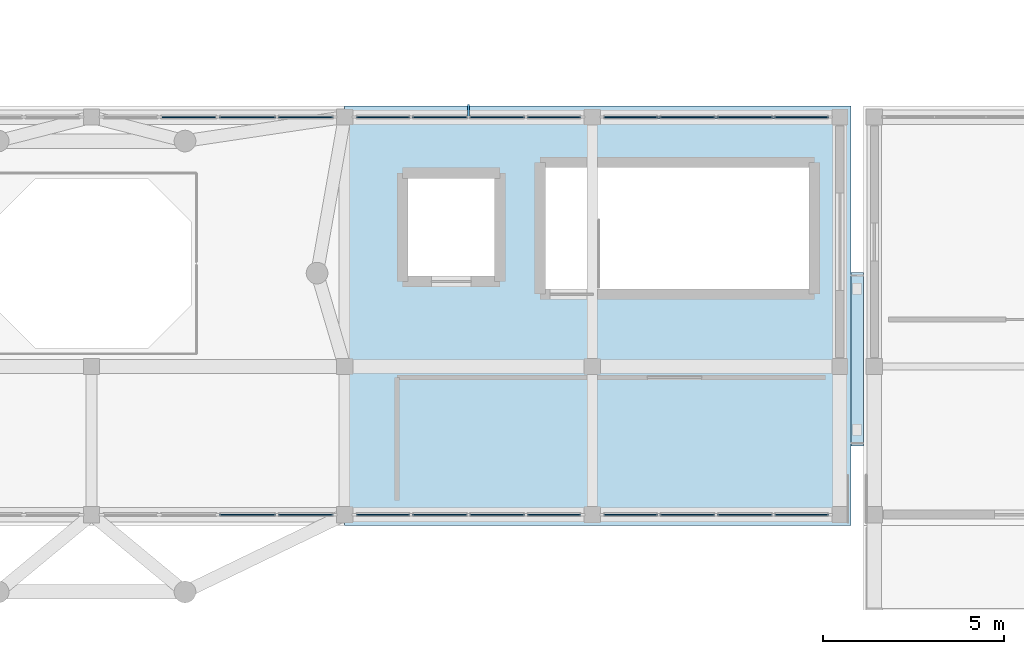
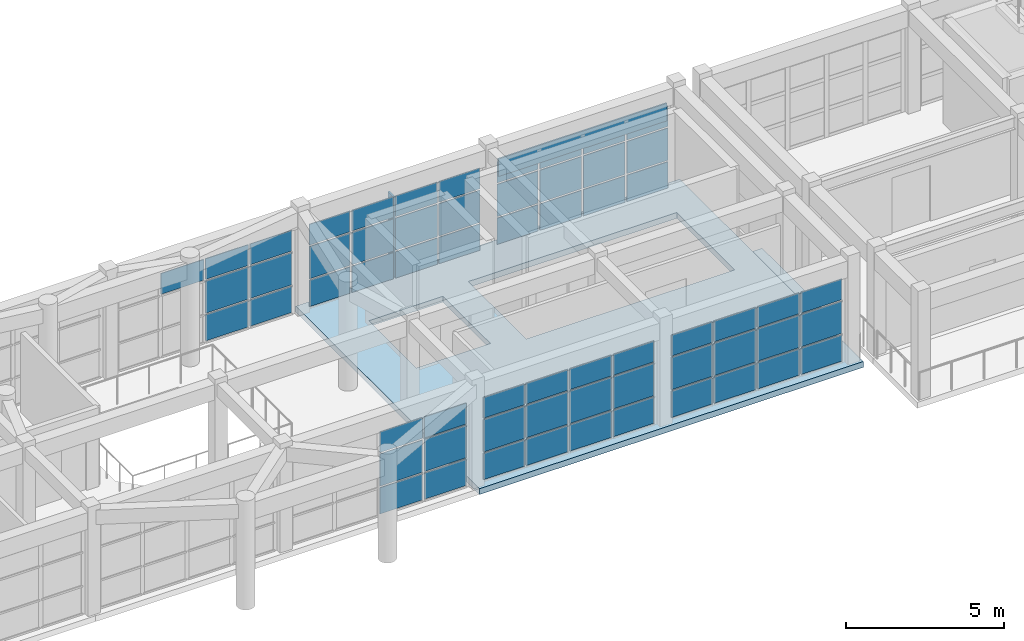
# One storey, part 39 of 66: 63 plates, 2 slabs, 6 elements without a shape of their own.
"""IFC4 building model written with IfcOpenShell, lengths in metres."""

from ifc_helpers import new_model, si_unit, direction, frame, origin, origin_2d, place, context, subcontext, project, spatial, polyline, rectangle, outline, extrude, material, layer, layer_set, type_object, element, aggregate, save


model = new_model("IFC4")

# Units and contexts
model_context = context("Model", 3, precision=1e-05, world=origin(), true_north=direction((0.0, 1.0)))
body_context = subcontext(model_context, "Body", "Model", "MODEL_VIEW")
ifc_project = project(units=[si_unit("LENGTHUNIT", "METRE"), si_unit("AREAUNIT", "SQUARE_METRE"), si_unit("VOLUMEUNIT", "CUBIC_METRE"), si_unit("PLANEANGLEUNIT", "RADIAN"), si_unit("MASSUNIT", "GRAM", prefix="KILO")], contexts=[model_context])

# Site, building, storey
site_placement = place(None, origin())
site = spatial("IfcSite", under=ifc_project, at=site_placement, CompositionType="ELEMENT")
building_placement = place(site_placement, origin())
building = spatial("IfcBuilding", under=site, at=building_placement, Name="Candilejo Ridge Gondola Terminal", CompositionType="ELEMENT")
storey_placement = place(building_placement, frame((0.0, 0.0, 14.39990234375)))
storey = spatial("IfcBuildingStorey", under=building, at=storey_placement, Name="L03", CompositionType="ELEMENT", Elevation=14.39990234375)

# Curtain wall, plates
ifc_material_1 = material(Name="Anodised aluminium AA 6063-T6", Category="aluminium")
ifc_layer_1 = layer(ifc_material_1, 0.169921875)
ifc_layer_set_1 = layer_set([ifc_layer_1], Name="ARC-CW-DRUM-3400-650X329")
curtain_wall_type_1 = type_object("IfcCurtainWallType", Name="ARC-CW-DRUM-3400-650X329", PredefinedType="NOTDEFINED", material=ifc_layer_set_1)
curtain_wall_1_placement = place(storey_placement, origin())
curtain_wall_1 = element("IfcCurtainWall", 1, at=curtain_wall_1_placement, inside=storey, type_object=curtain_wall_type_1, Name="Curtain wall V2 L03-064", PredefinedType="NOTDEFINED")
ifc_material_2 = material(Name="Low-E laminated double glazing 6+12A+6+1.52PVB+6 mm", Category="glass")
ifc_layer_2 = layer(ifc_material_2, 0.028076171875)
ifc_layer_set_2 = layer_set([ifc_layer_2], Name="ARC-CW-GLAZ-PANEL")
plate_type_1 = type_object("IfcPlateType", Name="ARC-CW-GLAZ-PANEL", PredefinedType="CURTAIN_PANEL", material=ifc_layer_set_2)
plate_1_placement = place(storey_placement, frame((68.03759765625, 36.699951171875, 2.43017578125), z_axis=(0.0, 0.0, 1.0), x_axis=(1.0, 0.0, 0.0)))
plate_1 = element("IfcPlate", 2, at=plate_1_placement, type_object=plate_type_1, Name="CW-65X32 panel 2.3", PredefinedType="CURTAIN_PANEL", context=body_context, shape_type="SweptSolid", body=[
    extrude(rectangle(XDim=1.56005859375, YDim=0.028076171875, at=origin_2d()), origin(), (0.0, 0.0, 1.0), 0.800048828125),
])
plate_2_placement = place(storey_placement, frame((69.66259765625, 36.699951171875, 0.06005859375), z_axis=(0.0, 0.0, 1.0), x_axis=(1.0, 0.0, 0.0)))
plate_2 = element("IfcPlate", 3, at=plate_2_placement, type_object=plate_type_1, Name="CW-65X32 panel 3.1", PredefinedType="CURTAIN_PANEL", context=body_context, shape_type="SweptSolid", body=[
    extrude(rectangle(XDim=1.56005859375, YDim=0.028076171875, at=origin_2d()), origin(), (0.0, 0.0, 1.0), 1.010009765625),
])
plate_3_placement = place(storey_placement, frame((69.66259765625, 36.699951171875, 1.1298828125), z_axis=(0.0, 0.0, 1.0), x_axis=(1.0, 0.0, 0.0)))
plate_3 = element("IfcPlate", 4, at=plate_3_placement, type_object=plate_type_1, Name="CW-65X32 panel 3.2", PredefinedType="CURTAIN_PANEL", context=body_context, shape_type="SweptSolid", body=[
    extrude(rectangle(XDim=1.56005859375, YDim=0.028076171875, at=origin_2d()), origin(), (0.0, 0.0, 1.0), 1.239990234375),
])
plate_4_placement = place(storey_placement, frame((69.66259765625, 36.699951171875, 2.43017578125), z_axis=(0.0, 0.0, 1.0), x_axis=(1.0, 0.0, 0.0)))
plate_4 = element("IfcPlate", 5, at=plate_4_placement, type_object=plate_type_1, Name="CW-65X32 panel 3.3", PredefinedType="CURTAIN_PANEL", context=body_context, shape_type="SweptSolid", body=[
    extrude(rectangle(XDim=1.56005859375, YDim=0.028076171875, at=origin_2d()), origin(), (0.0, 0.0, 1.0), 0.800048828125),
])
plate_5_placement = place(storey_placement, frame((71.271240234375, 36.699951171875, 0.06005859375), z_axis=(0.0, 0.0, 1.0), x_axis=(1.0, 0.0, 0.0)))
plate_5 = element("IfcPlate", 6, at=plate_5_placement, type_object=plate_type_1, Name="CW-65X32 panel 4.1", PredefinedType="CURTAIN_PANEL", context=body_context, shape_type="SweptSolid", body=[
    extrude(rectangle(XDim=1.527587890625, YDim=0.028076171875, at=origin_2d()), origin(), (0.0, 0.0, 1.0), 1.010009765625),
])
plate_6_placement = place(storey_placement, frame((71.271240234375, 36.699951171875, 1.1298828125), z_axis=(0.0, 0.0, 1.0), x_axis=(1.0, 0.0, 0.0)))
plate_6 = element("IfcPlate", 7, at=plate_6_placement, type_object=plate_type_1, Name="CW-65X32 panel 4.2", PredefinedType="CURTAIN_PANEL", context=body_context, shape_type="SweptSolid", body=[
    extrude(rectangle(XDim=1.527587890625, YDim=0.028076171875, at=origin_2d()), origin(), (0.0, 0.0, 1.0), 1.239990234375),
])
plate_7_placement = place(storey_placement, frame((71.271240234375, 36.699951171875, 2.43017578125), z_axis=(0.0, 0.0, 1.0), x_axis=(1.0, 0.0, 0.0)))
plate_7 = element("IfcPlate", 8, at=plate_7_placement, type_object=plate_type_1, Name="CW-65X32 panel 4.3", PredefinedType="CURTAIN_PANEL", context=body_context, shape_type="SweptSolid", body=[
    extrude(rectangle(XDim=1.527587890625, YDim=0.028076171875, at=origin_2d()), origin(), (0.0, 0.0, 1.0), 0.800048828125),
])
aggregate(curtain_wall_1, [plate_1, plate_2, plate_3, plate_4, plate_5, plate_6, plate_7])

curtain_wall_2_placement = place(storey_placement, origin())
curtain_wall_2 = element("IfcCurtainWall", 9, at=curtain_wall_2_placement, inside=storey, type_object=curtain_wall_type_1, Name="Curtain wall V2 L03-065", PredefinedType="NOTDEFINED")
plate_8_placement = place(storey_placement, frame((69.66259765625, 25.699951171875, 0.06005859375), z_axis=(0.0, 0.0, 1.0), x_axis=(1.0, 0.0, 0.0)))
plate_8 = element("IfcPlate", 10, at=plate_8_placement, type_object=plate_type_1, Name="CW-65X32 panel 3.1", PredefinedType="CURTAIN_PANEL", context=body_context, shape_type="SweptSolid", body=[
    extrude(rectangle(XDim=1.56005859375, YDim=0.028076171875, at=origin_2d()), origin(), (0.0, 0.0, 1.0), 1.010009765625),
])
plate_9_placement = place(storey_placement, frame((69.66259765625, 25.699951171875, 1.1298828125), z_axis=(0.0, 0.0, 1.0), x_axis=(1.0, 0.0, 0.0)))
plate_9 = element("IfcPlate", 11, at=plate_9_placement, type_object=plate_type_1, Name="CW-65X32 panel 3.2", PredefinedType="CURTAIN_PANEL", context=body_context, shape_type="SweptSolid", body=[
    extrude(rectangle(XDim=1.56005859375, YDim=0.028076171875, at=origin_2d()), origin(), (0.0, 0.0, 1.0), 1.239990234375),
])
plate_10_placement = place(storey_placement, frame((69.66259765625, 25.699951171875, 2.43017578125), z_axis=(0.0, 0.0, 1.0), x_axis=(1.0, 0.0, 0.0)))
plate_10 = element("IfcPlate", 12, at=plate_10_placement, type_object=plate_type_1, Name="CW-65X32 panel 3.3", PredefinedType="CURTAIN_PANEL", context=body_context, shape_type="SweptSolid", body=[
    extrude(rectangle(XDim=1.56005859375, YDim=0.028076171875, at=origin_2d()), origin(), (0.0, 0.0, 1.0), 0.800048828125),
])
plate_11_placement = place(storey_placement, frame((71.271240234375, 25.699951171875, 0.06005859375), z_axis=(0.0, 0.0, 1.0), x_axis=(1.0, 0.0, 0.0)))
plate_11 = element("IfcPlate", 13, at=plate_11_placement, type_object=plate_type_1, Name="CW-65X32 panel 4.1", PredefinedType="CURTAIN_PANEL", context=body_context, shape_type="SweptSolid", body=[
    extrude(rectangle(XDim=1.527587890625, YDim=0.028076171875, at=origin_2d()), origin(), (0.0, 0.0, 1.0), 1.010009765625),
])
plate_12_placement = place(storey_placement, frame((71.271240234375, 25.699951171875, 1.1298828125), z_axis=(0.0, 0.0, 1.0), x_axis=(1.0, 0.0, 0.0)))
plate_12 = element("IfcPlate", 14, at=plate_12_placement, type_object=plate_type_1, Name="CW-65X32 panel 4.2", PredefinedType="CURTAIN_PANEL", context=body_context, shape_type="SweptSolid", body=[
    extrude(rectangle(XDim=1.527587890625, YDim=0.028076171875, at=origin_2d()), origin(), (0.0, 0.0, 1.0), 1.239990234375),
])
plate_13_placement = place(storey_placement, frame((71.271240234375, 25.699951171875, 2.43017578125), z_axis=(0.0, 0.0, 1.0), x_axis=(1.0, 0.0, 0.0)))
plate_13 = element("IfcPlate", 15, at=plate_13_placement, type_object=plate_type_1, Name="CW-65X32 panel 4.3", PredefinedType="CURTAIN_PANEL", context=body_context, shape_type="SweptSolid", body=[
    extrude(rectangle(XDim=1.527587890625, YDim=0.028076171875, at=origin_2d()), origin(), (0.0, 0.0, 1.0), 0.800048828125),
])
aggregate(curtain_wall_2, [plate_8, plate_9, plate_10, plate_11, plate_12, plate_13])

ifc_material_3 = material(Name="Anodised aluminium AA 6063-T6", Category="aluminium")
ifc_layer_3 = layer(ifc_material_3, 0.169921875)
ifc_layer_set_3 = layer_set([ifc_layer_3], Name="ARC-CW-DRUM-3400-635X329")
curtain_wall_type_2 = type_object("IfcCurtainWallType", Name="ARC-CW-DRUM-3400-635X329", PredefinedType="NOTDEFINED", material=ifc_layer_set_3)
curtain_wall_3_placement = place(storey_placement, origin())
curtain_wall_3 = element("IfcCurtainWall", 16, at=curtain_wall_3_placement, inside=storey, type_object=curtain_wall_type_2, Name="Curtain wall V2 L03-066", PredefinedType="NOTDEFINED")
plate_14_placement = place(storey_placement, frame((73.409912109375, 36.699951171875, 0.06005859375), z_axis=(0.0, 0.0, 1.0), x_axis=(1.0, 0.0, 0.0)))
plate_14 = element("IfcPlate", 17, at=plate_14_placement, type_object=plate_type_1, Name="CW-63X32 panel 1.1", PredefinedType="CURTAIN_PANEL", context=body_context, shape_type="SweptSolid", body=[
    extrude(rectangle(XDim=1.489990234375, YDim=0.028076171875, at=origin_2d()), origin(), (0.0, 0.0, 1.0), 1.010009765625),
])
plate_15_placement = place(storey_placement, frame((73.409912109375, 36.699951171875, 1.1298828125), z_axis=(0.0, 0.0, 1.0), x_axis=(1.0, 0.0, 0.0)))
plate_15 = element("IfcPlate", 18, at=plate_15_placement, type_object=plate_type_1, Name="CW-63X32 panel 1.2", PredefinedType="CURTAIN_PANEL", context=body_context, shape_type="SweptSolid", body=[
    extrude(rectangle(XDim=1.489990234375, YDim=0.028076171875, at=origin_2d()), origin(), (0.0, 0.0, 1.0), 1.239990234375),
])
plate_16_placement = place(storey_placement, frame((73.409912109375, 36.699951171875, 2.43017578125), z_axis=(0.0, 0.0, 1.0), x_axis=(1.0, 0.0, 0.0)))
plate_16 = element("IfcPlate", 19, at=plate_16_placement, type_object=plate_type_1, Name="CW-63X32 panel 1.3", PredefinedType="CURTAIN_PANEL", context=body_context, shape_type="SweptSolid", body=[
    extrude(rectangle(XDim=1.489990234375, YDim=0.028076171875, at=origin_2d()), origin(), (0.0, 0.0, 1.0), 0.800048828125),
])
plate_17_placement = place(storey_placement, frame((74.981201171875, 36.699951171875, 0.06005859375), z_axis=(0.0, 0.0, 1.0), x_axis=(1.0, 0.0, 0.0)))
plate_17 = element("IfcPlate", 20, at=plate_17_placement, type_object=plate_type_1, Name="CW-63X32 panel 2.1", PredefinedType="CURTAIN_PANEL", context=body_context, shape_type="SweptSolid", body=[
    extrude(rectangle(XDim=1.5224609375, YDim=0.028076171875, at=origin_2d()), origin(), (0.0, 0.0, 1.0), 1.010009765625),
])
plate_18_placement = place(storey_placement, frame((74.981201171875, 36.699951171875, 1.1298828125), z_axis=(0.0, 0.0, 1.0), x_axis=(1.0, 0.0, 0.0)))
plate_18 = element("IfcPlate", 21, at=plate_18_placement, type_object=plate_type_1, Name="CW-63X32 panel 2.2", PredefinedType="CURTAIN_PANEL", context=body_context, shape_type="SweptSolid", body=[
    extrude(rectangle(XDim=1.5224609375, YDim=0.028076171875, at=origin_2d()), origin(), (0.0, 0.0, 1.0), 1.239990234375),
])
plate_19_placement = place(storey_placement, frame((74.981201171875, 36.699951171875, 2.43017578125), z_axis=(0.0, 0.0, 1.0), x_axis=(1.0, 0.0, 0.0)))
plate_19 = element("IfcPlate", 22, at=plate_19_placement, type_object=plate_type_1, Name="CW-63X32 panel 2.3", PredefinedType="CURTAIN_PANEL", context=body_context, shape_type="SweptSolid", body=[
    extrude(rectangle(XDim=1.5224609375, YDim=0.028076171875, at=origin_2d()), origin(), (0.0, 0.0, 1.0), 0.800048828125),
])
plate_20_placement = place(storey_placement, frame((76.56884765625, 36.699951171875, 0.06005859375), z_axis=(0.0, 0.0, 1.0), x_axis=(1.0, 0.0, 0.0)))
plate_20 = element("IfcPlate", 23, at=plate_20_placement, type_object=plate_type_1, Name="CW-63X32 panel 3.1", PredefinedType="CURTAIN_PANEL", context=body_context, shape_type="SweptSolid", body=[
    extrude(rectangle(XDim=1.5224609375, YDim=0.028076171875, at=origin_2d()), origin(), (0.0, 0.0, 1.0), 1.010009765625),
])
plate_21_placement = place(storey_placement, frame((76.56884765625, 36.699951171875, 1.1298828125), z_axis=(0.0, 0.0, 1.0), x_axis=(1.0, 0.0, 0.0)))
plate_21 = element("IfcPlate", 24, at=plate_21_placement, type_object=plate_type_1, Name="CW-63X32 panel 3.2", PredefinedType="CURTAIN_PANEL", context=body_context, shape_type="SweptSolid", body=[
    extrude(rectangle(XDim=1.5224609375, YDim=0.028076171875, at=origin_2d()), origin(), (0.0, 0.0, 1.0), 1.239990234375),
])
plate_22_placement = place(storey_placement, frame((76.56884765625, 36.699951171875, 2.43017578125), z_axis=(0.0, 0.0, 1.0), x_axis=(1.0, 0.0, 0.0)))
plate_22 = element("IfcPlate", 25, at=plate_22_placement, type_object=plate_type_1, Name="CW-63X32 panel 3.3", PredefinedType="CURTAIN_PANEL", context=body_context, shape_type="SweptSolid", body=[
    extrude(rectangle(XDim=1.5224609375, YDim=0.028076171875, at=origin_2d()), origin(), (0.0, 0.0, 1.0), 0.800048828125),
])
plate_23_placement = place(storey_placement, frame((78.139892578125, 36.699951171875, 0.06005859375), z_axis=(0.0, 0.0, 1.0), x_axis=(1.0, 0.0, 0.0)))
plate_23 = element("IfcPlate", 26, at=plate_23_placement, type_object=plate_type_1, Name="CW-63X32 panel 4.1", PredefinedType="CURTAIN_PANEL", context=body_context, shape_type="SweptSolid", body=[
    extrude(rectangle(XDim=1.489990234375, YDim=0.028076171875, at=origin_2d()), origin(), (0.0, 0.0, 1.0), 1.010009765625),
])
plate_24_placement = place(storey_placement, frame((78.139892578125, 36.699951171875, 1.1298828125), z_axis=(0.0, 0.0, 1.0), x_axis=(1.0, 0.0, 0.0)))
plate_24 = element("IfcPlate", 27, at=plate_24_placement, type_object=plate_type_1, Name="CW-63X32 panel 4.2", PredefinedType="CURTAIN_PANEL", context=body_context, shape_type="SweptSolid", body=[
    extrude(rectangle(XDim=1.489990234375, YDim=0.028076171875, at=origin_2d()), origin(), (0.0, 0.0, 1.0), 1.239990234375),
])
plate_25_placement = place(storey_placement, frame((78.139892578125, 36.699951171875, 2.43017578125), z_axis=(0.0, 0.0, 1.0), x_axis=(1.0, 0.0, 0.0)))
plate_25 = element("IfcPlate", 28, at=plate_25_placement, type_object=plate_type_1, Name="CW-63X32 panel 4.3", PredefinedType="CURTAIN_PANEL", context=body_context, shape_type="SweptSolid", body=[
    extrude(rectangle(XDim=1.489990234375, YDim=0.028076171875, at=origin_2d()), origin(), (0.0, 0.0, 1.0), 0.800048828125),
])
aggregate(curtain_wall_3, [plate_14, plate_15, plate_16, plate_17, plate_18, plate_19, plate_20, plate_21, plate_22, plate_23, plate_24, plate_25])

curtain_wall_4_placement = place(storey_placement, origin())
curtain_wall_4 = element("IfcCurtainWall", 29, at=curtain_wall_4_placement, inside=storey, type_object=curtain_wall_type_2, Name="Curtain wall V2 L03-067", PredefinedType="NOTDEFINED")
plate_26_placement = place(storey_placement, frame((73.409912109375, 25.699951171875, 0.06005859375), z_axis=(0.0, 0.0, 1.0), x_axis=(1.0, 0.0, 0.0)))
plate_26 = element("IfcPlate", 30, at=plate_26_placement, type_object=plate_type_1, Name="CW-63X32 panel 1.1", PredefinedType="CURTAIN_PANEL", context=body_context, shape_type="SweptSolid", body=[
    extrude(rectangle(XDim=1.489990234375, YDim=0.028076171875, at=origin_2d()), origin(), (0.0, 0.0, 1.0), 1.010009765625),
])
plate_27_placement = place(storey_placement, frame((73.409912109375, 25.699951171875, 1.1298828125), z_axis=(0.0, 0.0, 1.0), x_axis=(1.0, 0.0, 0.0)))
plate_27 = element("IfcPlate", 31, at=plate_27_placement, type_object=plate_type_1, Name="CW-63X32 panel 1.2", PredefinedType="CURTAIN_PANEL", context=body_context, shape_type="SweptSolid", body=[
    extrude(rectangle(XDim=1.489990234375, YDim=0.028076171875, at=origin_2d()), origin(), (0.0, 0.0, 1.0), 1.239990234375),
])
plate_28_placement = place(storey_placement, frame((73.409912109375, 25.699951171875, 2.43017578125), z_axis=(0.0, 0.0, 1.0), x_axis=(1.0, 0.0, 0.0)))
plate_28 = element("IfcPlate", 32, at=plate_28_placement, type_object=plate_type_1, Name="CW-63X32 panel 1.3", PredefinedType="CURTAIN_PANEL", context=body_context, shape_type="SweptSolid", body=[
    extrude(rectangle(XDim=1.489990234375, YDim=0.028076171875, at=origin_2d()), origin(), (0.0, 0.0, 1.0), 0.800048828125),
])
plate_29_placement = place(storey_placement, frame((74.981201171875, 25.699951171875, 0.06005859375), z_axis=(0.0, 0.0, 1.0), x_axis=(1.0, 0.0, 0.0)))
plate_29 = element("IfcPlate", 33, at=plate_29_placement, type_object=plate_type_1, Name="CW-63X32 panel 2.1", PredefinedType="CURTAIN_PANEL", context=body_context, shape_type="SweptSolid", body=[
    extrude(rectangle(XDim=1.5224609375, YDim=0.028076171875, at=origin_2d()), origin(), (0.0, 0.0, 1.0), 1.010009765625),
])
plate_30_placement = place(storey_placement, frame((74.981201171875, 25.699951171875, 1.1298828125), z_axis=(0.0, 0.0, 1.0), x_axis=(1.0, 0.0, 0.0)))
plate_30 = element("IfcPlate", 34, at=plate_30_placement, type_object=plate_type_1, Name="CW-63X32 panel 2.2", PredefinedType="CURTAIN_PANEL", context=body_context, shape_type="SweptSolid", body=[
    extrude(rectangle(XDim=1.5224609375, YDim=0.028076171875, at=origin_2d()), origin(), (0.0, 0.0, 1.0), 1.239990234375),
])
plate_31_placement = place(storey_placement, frame((74.981201171875, 25.699951171875, 2.43017578125), z_axis=(0.0, 0.0, 1.0), x_axis=(1.0, 0.0, 0.0)))
plate_31 = element("IfcPlate", 35, at=plate_31_placement, type_object=plate_type_1, Name="CW-63X32 panel 2.3", PredefinedType="CURTAIN_PANEL", context=body_context, shape_type="SweptSolid", body=[
    extrude(rectangle(XDim=1.5224609375, YDim=0.028076171875, at=origin_2d()), origin(), (0.0, 0.0, 1.0), 0.800048828125),
])
plate_32_placement = place(storey_placement, frame((76.56884765625, 25.699951171875, 0.06005859375), z_axis=(0.0, 0.0, 1.0), x_axis=(1.0, 0.0, 0.0)))
plate_32 = element("IfcPlate", 36, at=plate_32_placement, type_object=plate_type_1, Name="CW-63X32 panel 3.1", PredefinedType="CURTAIN_PANEL", context=body_context, shape_type="SweptSolid", body=[
    extrude(rectangle(XDim=1.5224609375, YDim=0.028076171875, at=origin_2d()), origin(), (0.0, 0.0, 1.0), 1.010009765625),
])
plate_33_placement = place(storey_placement, frame((76.56884765625, 25.699951171875, 1.1298828125), z_axis=(0.0, 0.0, 1.0), x_axis=(1.0, 0.0, 0.0)))
plate_33 = element("IfcPlate", 37, at=plate_33_placement, type_object=plate_type_1, Name="CW-63X32 panel 3.2", PredefinedType="CURTAIN_PANEL", context=body_context, shape_type="SweptSolid", body=[
    extrude(rectangle(XDim=1.5224609375, YDim=0.028076171875, at=origin_2d()), origin(), (0.0, 0.0, 1.0), 1.239990234375),
])
plate_34_placement = place(storey_placement, frame((76.56884765625, 25.699951171875, 2.43017578125), z_axis=(0.0, 0.0, 1.0), x_axis=(1.0, 0.0, 0.0)))
plate_34 = element("IfcPlate", 38, at=plate_34_placement, type_object=plate_type_1, Name="CW-63X32 panel 3.3", PredefinedType="CURTAIN_PANEL", context=body_context, shape_type="SweptSolid", body=[
    extrude(rectangle(XDim=1.5224609375, YDim=0.028076171875, at=origin_2d()), origin(), (0.0, 0.0, 1.0), 0.800048828125),
])
plate_35_placement = place(storey_placement, frame((78.139892578125, 25.699951171875, 0.06005859375), z_axis=(0.0, 0.0, 1.0), x_axis=(1.0, 0.0, 0.0)))
plate_35 = element("IfcPlate", 39, at=plate_35_placement, type_object=plate_type_1, Name="CW-63X32 panel 4.1", PredefinedType="CURTAIN_PANEL", context=body_context, shape_type="SweptSolid", body=[
    extrude(rectangle(XDim=1.489990234375, YDim=0.028076171875, at=origin_2d()), origin(), (0.0, 0.0, 1.0), 1.010009765625),
])
plate_36_placement = place(storey_placement, frame((78.139892578125, 25.699951171875, 1.1298828125), z_axis=(0.0, 0.0, 1.0), x_axis=(1.0, 0.0, 0.0)))
plate_36 = element("IfcPlate", 40, at=plate_36_placement, type_object=plate_type_1, Name="CW-63X32 panel 4.2", PredefinedType="CURTAIN_PANEL", context=body_context, shape_type="SweptSolid", body=[
    extrude(rectangle(XDim=1.489990234375, YDim=0.028076171875, at=origin_2d()), origin(), (0.0, 0.0, 1.0), 1.239990234375),
])
plate_37_placement = place(storey_placement, frame((78.139892578125, 25.699951171875, 2.43017578125), z_axis=(0.0, 0.0, 1.0), x_axis=(1.0, 0.0, 0.0)))
plate_37 = element("IfcPlate", 41, at=plate_37_placement, type_object=plate_type_1, Name="CW-63X32 panel 4.3", PredefinedType="CURTAIN_PANEL", context=body_context, shape_type="SweptSolid", body=[
    extrude(rectangle(XDim=1.489990234375, YDim=0.028076171875, at=origin_2d()), origin(), (0.0, 0.0, 1.0), 0.800048828125),
])
aggregate(curtain_wall_4, [plate_26, plate_27, plate_28, plate_29, plate_30, plate_31, plate_32, plate_33, plate_34, plate_35, plate_36, plate_37])

curtain_wall_5_placement = place(storey_placement, origin())
curtain_wall_5 = element("IfcCurtainWall", 42, at=curtain_wall_5_placement, inside=storey, type_object=curtain_wall_type_2, Name="Curtain wall V2 L03-068", PredefinedType="NOTDEFINED")
plate_38_placement = place(storey_placement, frame((80.260009765625, 36.699951171875, 0.06005859375), z_axis=(0.0, 0.0, 1.0), x_axis=(1.0, 0.0, 0.0)))
plate_38 = element("IfcPlate", 43, at=plate_38_placement, type_object=plate_type_1, Name="CW-63X32 panel 1.1", PredefinedType="CURTAIN_PANEL", context=body_context, shape_type="SweptSolid", body=[
    extrude(rectangle(XDim=1.489990234375, YDim=0.028076171875, at=origin_2d()), origin(), (0.0, 0.0, 1.0), 1.010009765625),
])
plate_39_placement = place(storey_placement, frame((80.260009765625, 36.699951171875, 1.1298828125), z_axis=(0.0, 0.0, 1.0), x_axis=(1.0, 0.0, 0.0)))
plate_39 = element("IfcPlate", 44, at=plate_39_placement, type_object=plate_type_1, Name="CW-63X32 panel 1.2", PredefinedType="CURTAIN_PANEL", context=body_context, shape_type="SweptSolid", body=[
    extrude(rectangle(XDim=1.489990234375, YDim=0.028076171875, at=origin_2d()), origin(), (0.0, 0.0, 1.0), 1.239990234375),
])
plate_40_placement = place(storey_placement, frame((80.260009765625, 36.699951171875, 2.43017578125), z_axis=(0.0, 0.0, 1.0), x_axis=(1.0, 0.0, 0.0)))
plate_40 = element("IfcPlate", 45, at=plate_40_placement, type_object=plate_type_1, Name="CW-63X32 panel 1.3", PredefinedType="CURTAIN_PANEL", context=body_context, shape_type="SweptSolid", body=[
    extrude(rectangle(XDim=1.489990234375, YDim=0.028076171875, at=origin_2d()), origin(), (0.0, 0.0, 1.0), 0.800048828125),
])
plate_41_placement = place(storey_placement, frame((81.831298828125, 36.699951171875, 0.06005859375), z_axis=(0.0, 0.0, 1.0), x_axis=(1.0, 0.0, 0.0)))
plate_41 = element("IfcPlate", 46, at=plate_41_placement, type_object=plate_type_1, Name="CW-63X32 panel 2.1", PredefinedType="CURTAIN_PANEL", context=body_context, shape_type="SweptSolid", body=[
    extrude(rectangle(XDim=1.5224609375, YDim=0.028076171875, at=origin_2d()), origin(), (0.0, 0.0, 1.0), 1.010009765625),
])
plate_42_placement = place(storey_placement, frame((81.831298828125, 36.699951171875, 1.1298828125), z_axis=(0.0, 0.0, 1.0), x_axis=(1.0, 0.0, 0.0)))
plate_42 = element("IfcPlate", 47, at=plate_42_placement, type_object=plate_type_1, Name="CW-63X32 panel 2.2", PredefinedType="CURTAIN_PANEL", context=body_context, shape_type="SweptSolid", body=[
    extrude(rectangle(XDim=1.5224609375, YDim=0.028076171875, at=origin_2d()), origin(), (0.0, 0.0, 1.0), 1.239990234375),
])
plate_43_placement = place(storey_placement, frame((81.831298828125, 36.699951171875, 2.43017578125), z_axis=(0.0, 0.0, 1.0), x_axis=(1.0, 0.0, 0.0)))
plate_43 = element("IfcPlate", 48, at=plate_43_placement, type_object=plate_type_1, Name="CW-63X32 panel 2.3", PredefinedType="CURTAIN_PANEL", context=body_context, shape_type="SweptSolid", body=[
    extrude(rectangle(XDim=1.5224609375, YDim=0.028076171875, at=origin_2d()), origin(), (0.0, 0.0, 1.0), 0.800048828125),
])
plate_44_placement = place(storey_placement, frame((83.418701171875, 36.699951171875, 0.06005859375), z_axis=(0.0, 0.0, 1.0), x_axis=(1.0, 0.0, 0.0)))
plate_44 = element("IfcPlate", 49, at=plate_44_placement, type_object=plate_type_1, Name="CW-63X32 panel 3.1", PredefinedType="CURTAIN_PANEL", context=body_context, shape_type="SweptSolid", body=[
    extrude(rectangle(XDim=1.5224609375, YDim=0.028076171875, at=origin_2d()), origin(), (0.0, 0.0, 1.0), 1.010009765625),
])
plate_45_placement = place(storey_placement, frame((83.418701171875, 36.699951171875, 1.1298828125), z_axis=(0.0, 0.0, 1.0), x_axis=(1.0, 0.0, 0.0)))
plate_45 = element("IfcPlate", 50, at=plate_45_placement, type_object=plate_type_1, Name="CW-63X32 panel 3.2", PredefinedType="CURTAIN_PANEL", context=body_context, shape_type="SweptSolid", body=[
    extrude(rectangle(XDim=1.5224609375, YDim=0.028076171875, at=origin_2d()), origin(), (0.0, 0.0, 1.0), 1.239990234375),
])
plate_46_placement = place(storey_placement, frame((83.418701171875, 36.699951171875, 2.43017578125), z_axis=(0.0, 0.0, 1.0), x_axis=(1.0, 0.0, 0.0)))
plate_46 = element("IfcPlate", 51, at=plate_46_placement, type_object=plate_type_1, Name="CW-63X32 panel 3.3", PredefinedType="CURTAIN_PANEL", context=body_context, shape_type="SweptSolid", body=[
    extrude(rectangle(XDim=1.5224609375, YDim=0.028076171875, at=origin_2d()), origin(), (0.0, 0.0, 1.0), 0.800048828125),
])
plate_47_placement = place(storey_placement, frame((84.989990234375, 36.699951171875, 0.06005859375), z_axis=(0.0, 0.0, 1.0), x_axis=(1.0, 0.0, 0.0)))
plate_47 = element("IfcPlate", 52, at=plate_47_placement, type_object=plate_type_1, Name="CW-63X32 panel 4.1", PredefinedType="CURTAIN_PANEL", context=body_context, shape_type="SweptSolid", body=[
    extrude(rectangle(XDim=1.489990234375, YDim=0.028076171875, at=origin_2d()), origin(), (0.0, 0.0, 1.0), 1.010009765625),
])
plate_48_placement = place(storey_placement, frame((84.989990234375, 36.699951171875, 1.1298828125), z_axis=(0.0, 0.0, 1.0), x_axis=(1.0, 0.0, 0.0)))
plate_48 = element("IfcPlate", 53, at=plate_48_placement, type_object=plate_type_1, Name="CW-63X32 panel 4.2", PredefinedType="CURTAIN_PANEL", context=body_context, shape_type="SweptSolid", body=[
    extrude(rectangle(XDim=1.489990234375, YDim=0.028076171875, at=origin_2d()), origin(), (0.0, 0.0, 1.0), 1.239990234375),
])
plate_49_placement = place(storey_placement, frame((84.989990234375, 36.699951171875, 2.43017578125), z_axis=(0.0, 0.0, 1.0), x_axis=(1.0, 0.0, 0.0)))
plate_49 = element("IfcPlate", 54, at=plate_49_placement, type_object=plate_type_1, Name="CW-63X32 panel 4.3", PredefinedType="CURTAIN_PANEL", context=body_context, shape_type="SweptSolid", body=[
    extrude(rectangle(XDim=1.489990234375, YDim=0.028076171875, at=origin_2d()), origin(), (0.0, 0.0, 1.0), 0.800048828125),
])
aggregate(curtain_wall_5, [plate_38, plate_39, plate_40, plate_41, plate_42, plate_43, plate_44, plate_45, plate_46, plate_47, plate_48, plate_49])

curtain_wall_6_placement = place(storey_placement, origin())
curtain_wall_6 = element("IfcCurtainWall", 55, at=curtain_wall_6_placement, inside=storey, type_object=curtain_wall_type_2, Name="Curtain wall V2 L03-069", PredefinedType="NOTDEFINED")
plate_50_placement = place(storey_placement, frame((80.260009765625, 25.699951171875, 0.06005859375), z_axis=(0.0, 0.0, 1.0), x_axis=(1.0, 0.0, 0.0)))
plate_50 = element("IfcPlate", 56, at=plate_50_placement, type_object=plate_type_1, Name="CW-63X32 panel 1.1", PredefinedType="CURTAIN_PANEL", context=body_context, shape_type="SweptSolid", body=[
    extrude(rectangle(XDim=1.489990234375, YDim=0.028076171875, at=origin_2d()), origin(), (0.0, 0.0, 1.0), 1.010009765625),
])
plate_51_placement = place(storey_placement, frame((80.260009765625, 25.699951171875, 1.1298828125), z_axis=(0.0, 0.0, 1.0), x_axis=(1.0, 0.0, 0.0)))
plate_51 = element("IfcPlate", 57, at=plate_51_placement, type_object=plate_type_1, Name="CW-63X32 panel 1.2", PredefinedType="CURTAIN_PANEL", context=body_context, shape_type="SweptSolid", body=[
    extrude(rectangle(XDim=1.489990234375, YDim=0.028076171875, at=origin_2d()), origin(), (0.0, 0.0, 1.0), 1.239990234375),
])
plate_52_placement = place(storey_placement, frame((80.260009765625, 25.699951171875, 2.43017578125), z_axis=(0.0, 0.0, 1.0), x_axis=(1.0, 0.0, 0.0)))
plate_52 = element("IfcPlate", 58, at=plate_52_placement, type_object=plate_type_1, Name="CW-63X32 panel 1.3", PredefinedType="CURTAIN_PANEL", context=body_context, shape_type="SweptSolid", body=[
    extrude(rectangle(XDim=1.489990234375, YDim=0.028076171875, at=origin_2d()), origin(), (0.0, 0.0, 1.0), 0.800048828125),
])
plate_53_placement = place(storey_placement, frame((81.831298828125, 25.699951171875, 0.06005859375), z_axis=(0.0, 0.0, 1.0), x_axis=(1.0, 0.0, 0.0)))
plate_53 = element("IfcPlate", 59, at=plate_53_placement, type_object=plate_type_1, Name="CW-63X32 panel 2.1", PredefinedType="CURTAIN_PANEL", context=body_context, shape_type="SweptSolid", body=[
    extrude(rectangle(XDim=1.5224609375, YDim=0.028076171875, at=origin_2d()), origin(), (0.0, 0.0, 1.0), 1.010009765625),
])
plate_54_placement = place(storey_placement, frame((81.831298828125, 25.699951171875, 1.1298828125), z_axis=(0.0, 0.0, 1.0), x_axis=(1.0, 0.0, 0.0)))
plate_54 = element("IfcPlate", 60, at=plate_54_placement, type_object=plate_type_1, Name="CW-63X32 panel 2.2", PredefinedType="CURTAIN_PANEL", context=body_context, shape_type="SweptSolid", body=[
    extrude(rectangle(XDim=1.5224609375, YDim=0.028076171875, at=origin_2d()), origin(), (0.0, 0.0, 1.0), 1.239990234375),
])
plate_55_placement = place(storey_placement, frame((81.831298828125, 25.699951171875, 2.43017578125), z_axis=(0.0, 0.0, 1.0), x_axis=(1.0, 0.0, 0.0)))
plate_55 = element("IfcPlate", 61, at=plate_55_placement, type_object=plate_type_1, Name="CW-63X32 panel 2.3", PredefinedType="CURTAIN_PANEL", context=body_context, shape_type="SweptSolid", body=[
    extrude(rectangle(XDim=1.5224609375, YDim=0.028076171875, at=origin_2d()), origin(), (0.0, 0.0, 1.0), 0.800048828125),
])
plate_56_placement = place(storey_placement, frame((83.418701171875, 25.699951171875, 0.06005859375), z_axis=(0.0, 0.0, 1.0), x_axis=(1.0, 0.0, 0.0)))
plate_56 = element("IfcPlate", 62, at=plate_56_placement, type_object=plate_type_1, Name="CW-63X32 panel 3.1", PredefinedType="CURTAIN_PANEL", context=body_context, shape_type="SweptSolid", body=[
    extrude(rectangle(XDim=1.5224609375, YDim=0.028076171875, at=origin_2d()), origin(), (0.0, 0.0, 1.0), 1.010009765625),
])
plate_57_placement = place(storey_placement, frame((83.418701171875, 25.699951171875, 1.1298828125), z_axis=(0.0, 0.0, 1.0), x_axis=(1.0, 0.0, 0.0)))
plate_57 = element("IfcPlate", 63, at=plate_57_placement, type_object=plate_type_1, Name="CW-63X32 panel 3.2", PredefinedType="CURTAIN_PANEL", context=body_context, shape_type="SweptSolid", body=[
    extrude(rectangle(XDim=1.5224609375, YDim=0.028076171875, at=origin_2d()), origin(), (0.0, 0.0, 1.0), 1.239990234375),
])
plate_58_placement = place(storey_placement, frame((83.418701171875, 25.699951171875, 2.43017578125), z_axis=(0.0, 0.0, 1.0), x_axis=(1.0, 0.0, 0.0)))
plate_58 = element("IfcPlate", 64, at=plate_58_placement, type_object=plate_type_1, Name="CW-63X32 panel 3.3", PredefinedType="CURTAIN_PANEL", context=body_context, shape_type="SweptSolid", body=[
    extrude(rectangle(XDim=1.5224609375, YDim=0.028076171875, at=origin_2d()), origin(), (0.0, 0.0, 1.0), 0.800048828125),
])
plate_59_placement = place(storey_placement, frame((84.989990234375, 25.699951171875, 0.06005859375), z_axis=(0.0, 0.0, 1.0), x_axis=(1.0, 0.0, 0.0)))
plate_59 = element("IfcPlate", 65, at=plate_59_placement, type_object=plate_type_1, Name="CW-63X32 panel 4.1", PredefinedType="CURTAIN_PANEL", context=body_context, shape_type="SweptSolid", body=[
    extrude(rectangle(XDim=1.489990234375, YDim=0.028076171875, at=origin_2d()), origin(), (0.0, 0.0, 1.0), 1.010009765625),
])
plate_60_placement = place(storey_placement, frame((84.989990234375, 25.699951171875, 1.1298828125), z_axis=(0.0, 0.0, 1.0), x_axis=(1.0, 0.0, 0.0)))
plate_60 = element("IfcPlate", 66, at=plate_60_placement, type_object=plate_type_1, Name="CW-63X32 panel 4.2", PredefinedType="CURTAIN_PANEL", context=body_context, shape_type="SweptSolid", body=[
    extrude(rectangle(XDim=1.489990234375, YDim=0.028076171875, at=origin_2d()), origin(), (0.0, 0.0, 1.0), 1.239990234375),
])
plate_61_placement = place(storey_placement, frame((84.989990234375, 25.699951171875, 2.43017578125), z_axis=(0.0, 0.0, 1.0), x_axis=(1.0, 0.0, 0.0)))
plate_61 = element("IfcPlate", 67, at=plate_61_placement, type_object=plate_type_1, Name="CW-63X32 panel 4.3", PredefinedType="CURTAIN_PANEL", context=body_context, shape_type="SweptSolid", body=[
    extrude(rectangle(XDim=1.489990234375, YDim=0.028076171875, at=origin_2d()), origin(), (0.0, 0.0, 1.0), 0.800048828125),
])
aggregate(curtain_wall_6, [plate_50, plate_51, plate_52, plate_53, plate_54, plate_55, plate_56, plate_57, plate_58, plate_59, plate_60, plate_61])

# Plates
ifc_material_4 = material(Name="Extruded architectural terracotta fin", Category="masonry")
plate_type_2 = type_object("IfcPlateType", Name="ARC-SOLAR-FIN-340", PredefinedType="USERDEFINED", material=ifc_material_4)
plate_62_placement = place(storey_placement, frame((75.77490234375, 36.884033203125, 0.10009765625), z_axis=(0.0, 0.0, 1.0), x_axis=(1.0, 0.0, 0.0)))
element("IfcPlate", 68, at=plate_62_placement, inside=storey, type_object=plate_type_2, Name="Terracotta solar fin V2-17", ObjectType="SOLAR FIN", PredefinedType="USERDEFINED", context=body_context, shape_type="SweptSolid", body=[
    extrude(rectangle(XDim=0.06494140625, YDim=0.340087890625, at=origin_2d()), origin(), (0.0, 0.0, 1.0), 3.10009765625),
])
ifc_material_5 = material(Name="Insulated aluminium spandrel panel 60 mm", Category="aluminium")
ifc_layer_4 = layer(ifc_material_5, 0.054931640625)
ifc_layer_set_4 = layer_set([ifc_layer_4], Name="ARC-SPANDREL-V2-L03")
plate_type_3 = type_object("IfcPlateType", Name="ARC-SPANDREL-V2-L03", PredefinedType="SHEET", material=ifc_layer_set_4)
plate_63_placement = place(storey_placement, frame((82.6201171875, 36.699951171875, 2.669921875), z_axis=(0.0, 0.0, 1.0), x_axis=(1.0, 0.0, 0.0)))
element("IfcPlate", 69, at=plate_63_placement, inside=storey, type_object=plate_type_3, Name="Spandrel band SP-23", PredefinedType="SHEET", context=body_context, shape_type="SweptSolid", body=[
    extrude(rectangle(XDim=6.14990234375, YDim=0.054931640625, at=origin_2d()), origin(), (0.0, 0.0, 1.0), 0.679931640625),
])

# Slabs
ifc_material_6 = material(Name="Concrete f'c 35 MPa (C35/45)", Category="concrete")
ifc_layer_5 = layer(ifc_material_6, 0.219970703125)
ifc_layer_set_5 = layer_set([ifc_layer_5], Name="STR-BRIDGE-SLAB-220")
slab_type_1 = type_object("IfcSlabType", Name="STR-BRIDGE-SLAB-220", PredefinedType="FLOOR", material=ifc_layer_set_5)
slab_1_placement = place(storey_placement, frame((0.0, 0.0, -0.219970703125)))
element("IfcSlab", 70, at=slab_1_placement, inside=storey, type_object=slab_type_1, Name="Slab SLB-LB-SJ2-L03", PredefinedType="FLOOR", context=body_context, shape_type="SweptSolid", body=[
    extrude(outline(polyline([(86.35009765625, 27.60009765625), (86.699951171875, 27.60009765625), (86.699951171875, 32.39990234375), (86.35009765625, 32.39990234375), (86.35009765625, 27.60009765625)])), origin(), (0.0, 0.0, 1.0), 0.219970703125),
])
ifc_material_7 = material(Name="Concrete f'c 35 MPa (C35/45)", Category="concrete")
ifc_layer_6 = layer(ifc_material_7, 0.22509765625)
ifc_layer_set_6 = layer_set([ifc_layer_6], Name="STR-FLOOR-SLAB-225")
slab_type_2 = type_object("IfcSlabType", Name="STR-FLOOR-SLAB-225", PredefinedType="FLOOR", material=ifc_layer_set_6)
slab_2_placement = place(storey_placement, frame((0.0, 0.0, -0.224853515625)))
element("IfcSlab", 71, at=slab_2_placement, inside=storey, type_object=slab_type_2, Name="Slab SLB-V2-L03-E", PredefinedType="FLOOR", context=body_context, shape_type="SweptSolid", body=[
    extrude(outline(polyline([(72.35009765625, 25.39990234375), (86.35009765625, 25.39990234375), (86.35009765625, 37.0), (72.35009765625, 37.0), (72.35009765625, 25.39990234375)]), holes=[polyline([(77.75, 31.800048828125), (85.35009765625, 31.800048828125), (85.35009765625, 35.449951171875), (77.75, 35.449951171875), (77.75, 31.800048828125)]), polyline([(73.949951171875, 32.14990234375), (76.64990234375, 32.14990234375), (76.64990234375, 35.14990234375), (73.949951171875, 35.14990234375), (73.949951171875, 32.14990234375)])]), origin(), (0.0, 0.0, 1.0), 0.224853515625),
])

save(model, "model.ifc")
